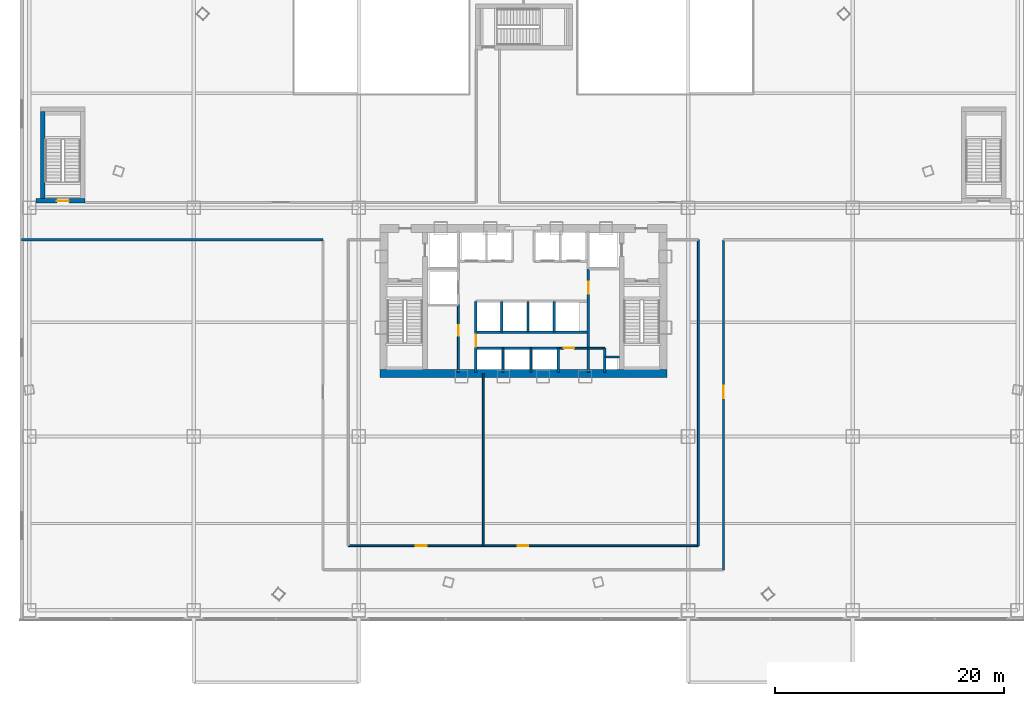
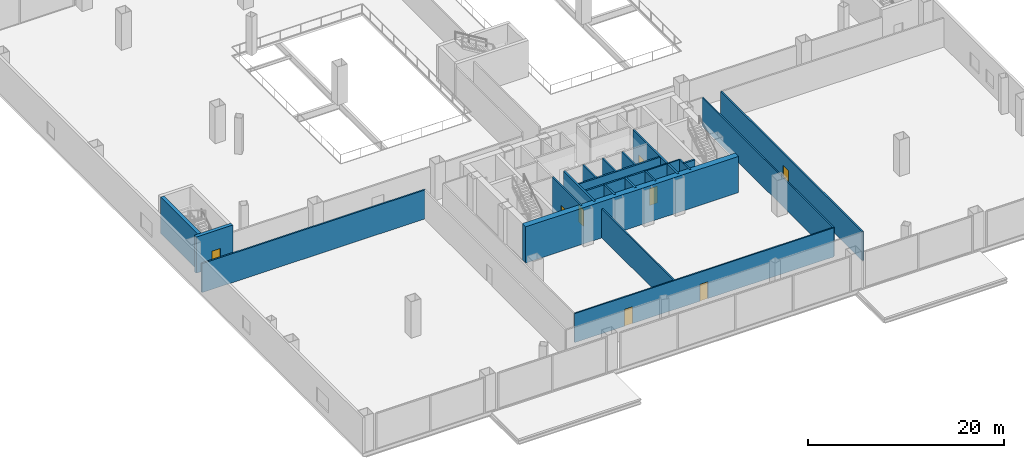
# One storey, part 33 of 42: 22 walls, 8 doors, 8 openings.
"""IFC4 building model written with IfcOpenShell, lengths in metres."""

from ifc_helpers import new_model, si_unit, direction, frame, frame_2d, origin, origin_with_axes, place, context, subcontext, project, spatial, rectangle, extrude, source, transform, mapped, material, layer, layer_set, type_object, element, fill, save


model = new_model("IFC4")

# Units and contexts
model_context = context("Model", 3, precision=1e-05, world=origin(), true_north=direction((0.0, 1.0)))
body_context = subcontext(model_context, "Body", "Model", "MODEL_VIEW")
ifc_project = project(units=[si_unit("LENGTHUNIT", "METRE"), si_unit("AREAUNIT", "SQUARE_METRE"), si_unit("VOLUMEUNIT", "CUBIC_METRE"), si_unit("PLANEANGLEUNIT", "RADIAN"), si_unit("MASSUNIT", "GRAM", prefix="KILO"), si_unit("THERMODYNAMICTEMPERATUREUNIT", "KELVIN"), si_unit("POWERUNIT", "WATT")], contexts=[model_context])

# Site, building, storey
site_placement = place(None, origin())
site = spatial("IfcSite", under=ifc_project, at=site_placement, CompositionType="ELEMENT")
building_placement = place(site_placement, origin())
building = spatial("IfcBuilding", under=site, at=building_placement, Name="Yunzhuo Pagoda Commons", CompositionType="ELEMENT")
storey_placement = place(building_placement, frame((0.0, 0.0, 4.800048828125)))
storey = spatial("IfcBuildingStorey", under=building, at=storey_placement, Name="L02", CompositionType="ELEMENT", Elevation=4.800048828125)

# Wall
ifc_material_1 = material(Name="Concrete C60", Category="concrete")
ifc_layer_1 = layer(ifc_material_1, 0.699951171875)
ifc_layer_set_1 = layer_set([ifc_layer_1], Name="Concrete C60")
wall_type_1 = type_object("IfcWallType", Name="W-C01 Lower Core Shear Wall 700", PredefinedType="SHEAR", material=ifc_layer_set_1)
wall_1_placement = place(storey_placement, frame((35.449951171875, 27.5, 0.0), z_axis=(0.0, 0.0, 1.0), x_axis=(1.0, 0.0, 0.0)))
element("IfcWall", 1, at=wall_1_placement, inside=storey, type_object=wall_type_1, Name="L02 core shear wall S", PredefinedType="SHEAR", context=body_context, shape_type="SweptSolid", body=[
    extrude(rectangle(XDim=25.10009765625, YDim=0.699951171875, at=frame_2d((12.550048828125, 0.0))), origin(), (0.0, 0.0, 1.0), 4.52001953125),
])

# Wall, opening, door
ifc_material_2 = material(Name="Gypsum plasterboard on acoustic stud")
ifc_layer_2 = layer(ifc_material_2, 0.159912109375)
ifc_layer_set_2 = layer_set([ifc_layer_2], Name="Gypsum plasterboard on acoustic stud")
wall_type_2 = type_object("IfcWallType", Name="W-COR1 Tower Rated Corridor Wall 160", PredefinedType="PARTITIONING", material=ifc_layer_set_2)
wall_2_placement = place(storey_placement, frame((42.320068359375, 27.60009765625, 0.0), z_axis=(0.0, 0.0, 1.0), x_axis=(0.0, 1.0, 0.0)))
wall_2 = element("IfcWall", 2, at=wall_2_placement, inside=storey, type_object=wall_type_2, Name="L02 interior wall IW-L02-CSWE", PredefinedType="PARTITIONING", context=body_context, shape_type="SweptSolid", body=[
    extrude(rectangle(XDim=5.89990234375, YDim=0.159912109375, at=frame_2d((2.949951171875, 0.0))), origin(), (0.0, 0.0, 1.0), 4.52001953125),
])
opening_1_placement = place(wall_2_placement, frame((3.199951171875, 0.0, 0.0)))
opening_1 = element("IfcOpeningElement", 3, at=opening_1_placement, cuts=wall_2, Name="Opening D-11", PredefinedType="OPENING", context=body_context, shape_type="SweptSolid", body=[
    extrude(rectangle(XDim=0.93994140625, YDim=2.10009765625, at=frame_2d((0.469970703125, 1.050048828125))), frame((0.0, 0.08984375, 0.0), z_axis=(0.0, -1.0, 0.0), x_axis=(1.0, 0.0, 0.0)), (0.0, 0.0, 1.0), 0.179931640625),
])
ifc_material_3 = material(Name="Galvanized fire-resisting metal leaf")
door_type_1 = type_object("IfcDoorType", Name="D-11 Accessible Washroom Fire Door 940x2100", OperationType="NOTDEFINED", PredefinedType="DOOR", material=ifc_material_3)
shared_shape_1 = source(origin(), body_context, "Body", "SweptSolid", [
    extrude(rectangle(XDim=0.93994140625, YDim=2.10009765625, at=frame_2d((0.469970703125, 1.050048828125))), frame((0.0, 0.02490234375, 0.0), z_axis=(0.0, -1.0, 0.0), x_axis=(1.0, 0.0, 0.0)), (0.0, 0.0, 1.0), 0.050048828125),
])
door_1_placement = place(opening_1_placement, origin_with_axes())
door_1 = element("IfcDoor", 4, at=door_1_placement, inside=storey, type_object=door_type_1, Name="L02 core WC door", OperationType="SINGLE_SWING_LEFT", OverallHeight=2.10009765625, OverallWidth=0.93994140625, PredefinedType="DOOR", context=body_context, shape_type="MappedRepresentation", body=[
    mapped(shared_shape_1, transform((0.0, 0.0, 0.0), scale=1.0)),
])
fill(opening_1, door_1)

wall_3_placement = place(storey_placement, frame((51.050048828125, 29.719970703125, 0.0), z_axis=(0.0, 0.0, 1.0), x_axis=(1.0, 0.0, 0.0)))
wall_3 = element("IfcWall", 5, at=wall_3_placement, inside=storey, type_object=wall_type_2, Name="L02 interior wall IW-L02-CSES", PredefinedType="PARTITIONING", context=body_context, shape_type="SweptSolid", body=[
    extrude(rectangle(XDim=4.070068359375, YDim=0.159912109375, at=frame_2d((2.03515625, 0.0))), origin(), (0.0, 0.0, 1.0), 4.52001953125),
])
opening_2_placement = place(wall_3_placement, frame((0.5, 0.0, 0.0)))
opening_2 = element("IfcOpeningElement", 6, at=opening_2_placement, cuts=wall_3, Name="Opening D-03", PredefinedType="OPENING", context=body_context, shape_type="SweptSolid", body=[
    extrude(rectangle(XDim=0.89990234375, YDim=2.10009765625, at=frame_2d((0.449951171875, 1.050048828125))), frame((0.0, 0.08984375, 0.0), z_axis=(0.0, -1.0, 0.0), x_axis=(1.0, 0.0, 0.0)), (0.0, 0.0, 1.0), 0.179931640625),
])
door_type_2 = type_object("IfcDoorType", Name="D-03 Core Service Fire Door 900x2100", OperationType="NOTDEFINED", PredefinedType="DOOR", material=ifc_material_3)
shared_shape_2 = source(origin(), body_context, "Body", "SweptSolid", [
    extrude(rectangle(XDim=0.89990234375, YDim=2.10009765625, at=frame_2d((0.449951171875, 1.050048828125))), frame((0.0, 0.02490234375, 0.0), z_axis=(0.0, -1.0, 0.0), x_axis=(1.0, 0.0, 0.0)), (0.0, 0.0, 1.0), 0.050048828125),
])
door_2_placement = place(opening_2_placement, origin_with_axes())
door_2 = element("IfcDoor", 7, at=door_2_placement, inside=storey, type_object=door_type_2, Name="L02 cleaner store door", OperationType="SINGLE_SWING_LEFT", OverallHeight=2.10009765625, OverallWidth=0.89990234375, PredefinedType="DOOR", context=body_context, shape_type="MappedRepresentation", body=[
    mapped(shared_shape_2, transform((0.0, 0.0, 0.0), scale=1.0)),
])
fill(opening_2, door_2)

# Wall, openings, doors
wall_4_placement = place(storey_placement, frame((32.699951171875, 12.449951171875, 0.0), z_axis=(0.0, 0.0, 1.0), x_axis=(1.0, 0.0, 0.0)))
wall_4 = element("IfcWall", 8, at=wall_4_placement, inside=storey, type_object=wall_type_2, Name="L02 interior wall IW-L02-PSMID", PredefinedType="PARTITIONING", context=body_context, shape_type="SweptSolid", body=[
    extrude(rectangle(XDim=30.60009765625, YDim=0.159912109375, at=frame_2d((15.300048828125, 0.0))), origin(), (0.0, 0.0, 1.0), 3.619873046875),
])
opening_3_placement = place(wall_4_placement, frame((14.800048828125, 0.0, 0.0)))
opening_3 = element("IfcOpeningElement", 9, at=opening_3_placement, cuts=wall_4, Name="Opening D-04", PredefinedType="OPENING", context=body_context, shape_type="SweptSolid", body=[
    extrude(rectangle(XDim=0.919921875, YDim=2.10009765625, at=frame_2d((0.4599609375, 1.050048828125))), frame((0.0, 0.08984375, 0.0), z_axis=(0.0, -1.0, 0.0), x_axis=(1.0, 0.0, 0.0)), (0.0, 0.0, 1.0), 0.179931640625),
])
opening_4_placement = place(wall_4_placement, frame((5.89990234375, 0.0, 0.0)))
opening_4 = element("IfcOpeningElement", 10, at=opening_4_placement, cuts=wall_4, Name="Opening D-11", PredefinedType="OPENING", context=body_context, shape_type="SweptSolid", body=[
    extrude(rectangle(XDim=0.93994140625, YDim=2.10009765625, at=frame_2d((0.469970703125, 1.050048828125))), frame((0.0, 0.08984375, 0.0), z_axis=(0.0, -1.0, 0.0), x_axis=(1.0, 0.0, 0.0)), (0.0, 0.0, 1.0), 0.179931640625),
])
door_3_placement = place(opening_4_placement, origin_with_axes())
door_3 = element("IfcDoor", 11, at=door_3_placement, inside=storey, type_object=door_type_1, Name="L02 washroom door", OperationType="SINGLE_SWING_RIGHT", OverallHeight=2.10009765625, OverallWidth=0.93994140625, PredefinedType="DOOR", context=body_context, shape_type="MappedRepresentation", body=[
    mapped(shared_shape_1, transform((0.0, 0.0, 0.0), scale=1.0)),
])
fill(opening_4, door_3)
ifc_material_4 = material(Name="Powder-coated aluminium and timber acoustic leaf", Category="wood")
door_type_3 = type_object("IfcDoorType", Name="D-04 Bedroom & Study Interior Door 920x2100", OperationType="NOTDEFINED", PredefinedType="DOOR", material=ifc_material_4)
shared_shape_3 = source(origin(), body_context, "Body", "SweptSolid", [
    extrude(rectangle(XDim=0.919921875, YDim=2.10009765625, at=frame_2d((0.4599609375, 1.050048828125))), frame((0.0, 0.02490234375, 0.0), z_axis=(0.0, -1.0, 0.0), x_axis=(1.0, 0.0, 0.0)), (0.0, 0.0, 1.0), 0.050048828125),
])
door_4_placement = place(opening_3_placement, origin_with_axes())
door_4 = element("IfcDoor", 12, at=door_4_placement, inside=storey, type_object=door_type_3, Name="L02 Beverage Servery door", OperationType="SINGLE_SWING_LEFT", OverallHeight=2.10009765625, OverallWidth=0.919921875, PredefinedType="DOOR", context=body_context, shape_type="MappedRepresentation", body=[
    mapped(shared_shape_3, transform((0.0, 0.0, 0.0), scale=1.0)),
])
fill(opening_3, door_4)

# Walls
wall_5_placement = place(storey_placement, frame((63.300048828125, 12.449951171875, 0.0), z_axis=(0.0, 0.0, 1.0), x_axis=(0.0, 1.0, 0.0)))
element("IfcWall", 13, at=wall_5_placement, inside=storey, type_object=wall_type_2, Name="L02 interior wall IW-L02-PSME", PredefinedType="PARTITIONING", context=body_context, shape_type="SweptSolid", body=[
    extrude(rectangle(XDim=26.75, YDim=0.159912109375, at=frame_2d((13.375, 0.0))), origin(), (0.0, 0.0, 1.0), 3.619873046875),
])
wall_6_placement = place(storey_placement, frame((44.5, 12.449951171875, 0.0), z_axis=(0.0, 0.0, 1.0), x_axis=(0.0, 1.0, 0.0)))
element("IfcWall", 14, at=wall_6_placement, inside=storey, type_object=wall_type_2, Name="L02 interior wall IW-L02-PWCDV", PredefinedType="PARTITIONING", context=body_context, shape_type="SweptSolid", body=[
    extrude(rectangle(XDim=15.050048828125, YDim=0.159912109375, at=frame_2d((7.52490234375, 0.0))), origin(), (0.0, 0.0, 1.0), 3.619873046875),
])
ifc_layer_3 = layer(ifc_material_2, 0.179931640625)
ifc_layer_set_3 = layer_set([ifc_layer_3], Name="Gypsum plasterboard on acoustic stud")
wall_type_3 = type_object("IfcWallType", Name="W-PRT2 Acoustic Unit Demising Wall 180", PredefinedType="PARTITIONING", material=ifc_layer_set_3)
wall_7_placement = place(storey_placement, frame((4.14990234375, 39.199951171875, 0.0), z_axis=(0.0, 0.0, 1.0), x_axis=(1.0, 0.0, 0.0)))
element("IfcWall", 15, at=wall_7_placement, inside=storey, type_object=wall_type_3, Name="L02 interior wall IW-L02-PWESTN", PredefinedType="PARTITIONING", context=body_context, shape_type="SweptSolid", body=[
    extrude(rectangle(XDim=26.35009765625, YDim=0.179931640625, at=frame_2d((13.175048828125, 0.0))), origin(), (0.0, 0.0, 1.0), 3.619873046875),
])

# Wall, opening, door
wall_8_placement = place(storey_placement, frame((65.5, 10.35009765625, 0.0), z_axis=(0.0, 0.0, 1.0), x_axis=(0.0, 1.0, 0.0)))
wall_8 = element("IfcWall", 16, at=wall_8_placement, inside=storey, type_object=wall_type_3, Name="L02 interior wall IW-L02-PEAST", PredefinedType="PARTITIONING", context=body_context, shape_type="SweptSolid", body=[
    extrude(rectangle(XDim=28.849853515625, YDim=0.179931640625, at=frame_2d((14.4248046875, 0.0))), origin(), (0.0, 0.0, 1.0), 3.619873046875),
])
opening_5_placement = place(wall_8_placement, frame((15.0, 0.0, 0.0)))
opening_5 = element("IfcOpeningElement", 17, at=opening_5_placement, cuts=wall_8, Name="Opening D-09", PredefinedType="OPENING", context=body_context, shape_type="SweptSolid", body=[
    extrude(rectangle(XDim=1.10009765625, YDim=2.14990234375, at=frame_2d((0.550048828125, 1.074951171875))), frame((0.0, 0.10009765625, 0.0), z_axis=(0.0, -1.0, 0.0), x_axis=(1.0, 0.0, 0.0)), (0.0, 0.0, 1.0), 0.199951171875),
])
door_type_4 = type_object("IfcDoorType", Name="D-09 Podium Commons Hall Fire Door 1100x2150", OperationType="NOTDEFINED", PredefinedType="DOOR", material=ifc_material_3)
shared_shape_4 = source(origin(), body_context, "Body", "SweptSolid", [
    extrude(rectangle(XDim=1.10009765625, YDim=2.14990234375, at=frame_2d((0.550048828125, 1.074951171875))), frame((0.0, 0.02490234375, 0.0), z_axis=(0.0, -1.0, 0.0), x_axis=(1.0, 0.0, 0.0)), (0.0, 0.0, 1.0), 0.050048828125),
])
door_5_placement = place(opening_5_placement, frame((1.10009765625, 0.0, 0.0), z_axis=(0.0, 0.0, 1.0), x_axis=(-1.0, 0.0, 0.0)))
door_5 = element("IfcDoor", 18, at=door_5_placement, inside=storey, type_object=door_type_4, Name="L02 Concourse Mezzanine Gallery door", OperationType="SINGLE_SWING_RIGHT", OverallHeight=2.14990234375, OverallWidth=1.10009765625, PredefinedType="DOOR", context=body_context, shape_type="MappedRepresentation", body=[
    mapped(shared_shape_4, transform((0.0, 0.0, 0.0), scale=1.0)),
])
fill(opening_5, door_5)

ifc_layer_4 = layer(ifc_material_1, 0.39990234375)
ifc_layer_set_4 = layer_set([ifc_layer_4], Name="Concrete C60")
wall_type_4 = type_object("IfcWallType", Name="W-S01 Internal Core Shear Web 400", PredefinedType="SHEAR", material=ifc_layer_set_4)
wall_9_placement = place(storey_placement, frame((5.39990234375, 42.60009765625, 0.0), z_axis=(0.0, 0.0, 1.0), x_axis=(1.0, 0.0, 0.0)))
wall_9 = element("IfcWall", 19, at=wall_9_placement, inside=storey, type_object=wall_type_4, Name="L02 PS3 structural stair wall S", PredefinedType="SHEAR", context=body_context, shape_type="SweptSolid", body=[
    extrude(rectangle(XDim=4.300048828125, YDim=0.39990234375, at=frame_2d((2.14990234375, 0.0))), origin(), (0.0, 0.0, 1.0), 4.52001953125),
])
opening_6_placement = place(wall_9_placement, frame((1.820068359375, 0.0, 0.0)))
opening_6 = element("IfcOpeningElement", 20, at=opening_6_placement, cuts=wall_9, Name="Opening D-01", PredefinedType="OPENING", context=body_context, shape_type="SweptSolid", body=[
    extrude(rectangle(XDim=1.050048828125, YDim=2.10009765625, at=frame_2d((0.52490234375, 1.050048828125))), frame((0.0, 0.2099609375, 0.0), z_axis=(0.0, -1.0, 0.0), x_axis=(1.0, 0.0, 0.0)), (0.0, 0.0, 1.0), 0.419921875),
])
door_type_5 = type_object("IfcDoorType", Name="D-01 Smokeproof Stair Fire Door 1050x2100", OperationType="NOTDEFINED", PredefinedType="DOOR", material=ifc_material_3)
shared_shape_5 = source(origin(), body_context, "Body", "SweptSolid", [
    extrude(rectangle(XDim=1.050048828125, YDim=2.10009765625, at=frame_2d((0.52490234375, 1.050048828125))), frame((0.0, 0.02490234375, 0.0), z_axis=(0.0, -1.0, 0.0), x_axis=(1.0, 0.0, 0.0)), (0.0, 0.0, 1.0), 0.050048828125),
])
door_6_placement = place(opening_6_placement, frame((1.050048828125, 0.0, 0.0), z_axis=(0.0, 0.0, 1.0), x_axis=(-1.0, 0.0, 0.0)))
door_6 = element("IfcDoor", 21, at=door_6_placement, inside=storey, type_object=door_type_5, Name="L02 PS3 stair fire door", OperationType="SINGLE_SWING_LEFT", OverallHeight=2.10009765625, OverallWidth=1.050048828125, PredefinedType="DOOR", context=body_context, shape_type="MappedRepresentation", body=[
    mapped(shared_shape_5, transform((0.0, 0.0, 0.0), scale=1.0)),
])
fill(opening_6, door_6)

# Wall
wall_10_placement = place(storey_placement, frame((6.0, 42.800048828125, 0.0), z_axis=(0.0, 0.0, 1.0), x_axis=(0.0, 1.0, 0.0)))
element("IfcWall", 22, at=wall_10_placement, inside=storey, type_object=wall_type_4, Name="L02 PS3 structural stair wall W", PredefinedType="SHEAR", context=body_context, shape_type="SweptSolid", body=[
    extrude(rectangle(XDim=7.599853515625, YDim=0.39990234375, at=frame_2d((3.7998046875, 0.0))), origin(), (0.0, 0.0, 1.0), 4.52001953125),
])

# Wall, opening, door
ifc_material_5 = material(Name="Concrete C40", Category="concrete")
ifc_layer_5 = layer(ifc_material_5, 0.199951171875)
ifc_layer_set_5 = layer_set([ifc_layer_5], Name="Concrete C40")
wall_type_5 = type_object("IfcWallType", Name="W-SHF Shaft & Stair Enclosure Wall 200", PredefinedType="SOLIDWALL", material=ifc_layer_set_5)
wall_11_placement = place(storey_placement, frame((43.85009765625, 27.60009765625, 0.0), z_axis=(0.0, 0.0, 1.0), x_axis=(0.0, 1.0, 0.0)))
wall_11 = element("IfcWall", 23, at=wall_11_placement, inside=storey, type_object=wall_type_5, Name="L02 interior wall IW-L02-PLMW", PredefinedType="SOLIDWALL", context=body_context, shape_type="SweptSolid", body=[
    extrude(rectangle(XDim=6.219970703125, YDim=0.199951171875, at=frame_2d((3.10986328125, 0.0))), origin(), (0.0, 0.0, 1.0), 4.52001953125),
])
opening_7_placement = place(wall_11_placement, frame((2.25, 0.0, 0.0)))
opening_7 = element("IfcOpeningElement", 24, at=opening_7_placement, cuts=wall_11, Name="Opening D-02", PredefinedType="OPENING", context=body_context, shape_type="SweptSolid", body=[
    extrude(rectangle(XDim=1.050048828125, YDim=2.10009765625, at=frame_2d((0.52490234375, 1.050048828125))), frame((0.0, 0.10986328125, 0.0), z_axis=(0.0, -1.0, 0.0), x_axis=(1.0, 0.0, 0.0)), (0.0, 0.0, 1.0), 0.219970703125),
])
door_type_6 = type_object("IfcDoorType", Name="D-02 Firefighting Lobby & Refuge Fire Door 1050x2100", OperationType="NOTDEFINED", PredefinedType="DOOR", material=ifc_material_3)
door_7_placement = place(opening_7_placement, frame((1.050048828125, 0.0, 0.0), z_axis=(0.0, 0.0, 1.0), x_axis=(-1.0, 0.0, 0.0)))
door_7 = element("IfcDoor", 25, at=door_7_placement, inside=storey, type_object=door_type_6, Name="L02 High-bank hall west door", OperationType="SINGLE_SWING_LEFT", OverallHeight=2.10009765625, OverallWidth=1.050048828125, PredefinedType="DOOR", context=body_context, shape_type="MappedRepresentation", body=[
    mapped(shared_shape_5, transform((0.0, 0.0, 0.0), scale=1.0)),
])
fill(opening_7, door_7)

wall_12_placement = place(storey_placement, frame((53.679931640625, 27.60009765625, 0.0), z_axis=(0.0, 0.0, 1.0), x_axis=(0.0, 1.0, 0.0)))
wall_12 = element("IfcWall", 26, at=wall_12_placement, inside=storey, type_object=wall_type_5, Name="L02 interior wall IW-L02-PLME", PredefinedType="SOLIDWALL", context=body_context, shape_type="SweptSolid", body=[
    extrude(rectangle(XDim=9.0498046875, YDim=0.199951171875, at=frame_2d((4.52490234375, 0.0))), origin(), (0.0, 0.0, 1.0), 4.52001953125),
])
opening_8_placement = place(wall_12_placement, frame((6.89990234375, 0.0, 0.0)))
opening_8 = element("IfcOpeningElement", 27, at=opening_8_placement, cuts=wall_12, Name="Opening D-02", PredefinedType="OPENING", context=body_context, shape_type="SweptSolid", body=[
    extrude(rectangle(XDim=1.050048828125, YDim=2.10009765625, at=frame_2d((0.52490234375, 1.050048828125))), frame((0.0, 0.10986328125, 0.0), z_axis=(0.0, -1.0, 0.0), x_axis=(1.0, 0.0, 0.0)), (0.0, 0.0, 1.0), 0.219970703125),
])
door_8_placement = place(opening_8_placement, origin_with_axes())
door_8 = element("IfcDoor", 28, at=door_8_placement, inside=storey, type_object=door_type_6, Name="L02 High-bank lift hall door", OperationType="SINGLE_SWING_RIGHT", OverallHeight=2.10009765625, OverallWidth=1.050048828125, PredefinedType="DOOR", context=body_context, shape_type="MappedRepresentation", body=[
    mapped(shared_shape_5, transform((0.0, 0.0, 0.0), scale=1.0)),
])
fill(opening_8, door_8)

# Walls
for number, where, z_axis, x_axis, name in (
    (29, (46.10009765625, 31.1201171875, 0.0), (0.0, 0.0, 1.0), (0.0, 1.0, 0.0), "L02 interior wall IW-L02-PLMD1"),
    (30, (48.39990234375, 31.1201171875, 0.0), (0.0, 0.0, 1.0), (0.0, 1.0, 0.0), "L02 interior wall IW-L02-PLMD2"),
    (31, (50.699951171875, 31.1201171875, 0.0), (0.0, 0.0, 1.0), (0.0, 1.0, 0.0), "L02 interior wall IW-L02-PLMD3"),
):
    element("IfcWall", number, at=place(storey_placement, frame(where, z_axis=z_axis, x_axis=x_axis)), inside=storey, type_object=wall_type_5, Name=name, PredefinedType="SOLIDWALL", context=body_context, shape_type="SweptSolid", body=[
        extrude(rectangle(XDim=2.699951171875, YDim=0.199951171875, at=frame_2d((1.35009765625, 0.0))), origin(), (0.0, 0.0, 1.0), 4.52001953125),
    ])
wall_13_placement = place(storey_placement, frame((43.85009765625, 29.719970703125, 0.0), z_axis=(0.0, 0.0, 1.0), x_axis=(1.0, 0.0, 0.0)))
element("IfcWall", 32, at=wall_13_placement, inside=storey, type_object=wall_type_5, Name="L02 interior wall IW-L02-PLHN", PredefinedType="SOLIDWALL", context=body_context, shape_type="SweptSolid", body=[
    extrude(rectangle(XDim=7.199951171875, YDim=0.199951171875, at=frame_2d((3.60009765625, 0.0))), origin(), (0.0, 0.0, 1.0), 4.52001953125),
])
wall_14_placement = place(storey_placement, frame((51.050048828125, 27.60009765625, 0.0), z_axis=(0.0, 0.0, 1.0), x_axis=(0.0, 1.0, 0.0)))
element("IfcWall", 33, at=wall_14_placement, inside=storey, type_object=wall_type_5, Name="L02 interior wall IW-L02-PLHE", PredefinedType="SOLIDWALL", context=body_context, shape_type="SweptSolid", body=[
    extrude(rectangle(XDim=2.119873046875, YDim=0.199951171875, at=frame_2d((1.06005859375, 0.0))), origin(), (0.0, 0.0, 1.0), 4.52001953125),
])
wall_15_placement = place(storey_placement, frame((43.85009765625, 31.1201171875, 0.0), z_axis=(0.0, 0.0, 1.0), x_axis=(1.0, 0.0, 0.0)))
element("IfcWall", 34, at=wall_15_placement, inside=storey, type_object=wall_type_5, Name="L02 interior wall IW-L02-PLMS2", PredefinedType="SOLIDWALL", context=body_context, shape_type="SweptSolid", body=[
    extrude(rectangle(XDim=9.829833984375, YDim=0.199951171875, at=frame_2d((4.9150390625, 0.0))), origin(), (0.0, 0.0, 1.0), 4.52001953125),
])
for number, where, z_axis, x_axis, name in (
    (35, (46.22509765625, 27.60009765625, 0.0), (0.0, 0.0, 1.0), (0.0, 1.0, 0.0), "L02 interior wall IW-L02-PLHD1"),
    (36, (48.675048828125, 27.60009765625, 0.0), (0.0, 0.0, 1.0), (0.0, 1.0, 0.0), "L02 interior wall IW-L02-PLHD2"),
    (37, (55.1201171875, 27.60009765625, 0.0), (0.0, 0.0, 1.0), (0.0, 1.0, 0.0), "L02 interior wall IW-L02-RSHFW"),
):
    element("IfcWall", number, at=place(storey_placement, frame(where, z_axis=z_axis, x_axis=x_axis)), inside=storey, type_object=wall_type_5, Name=name, PredefinedType="SOLIDWALL", context=body_context, shape_type="SweptSolid", body=[
        extrude(rectangle(XDim=2.119873046875, YDim=0.199951171875, at=frame_2d((1.06005859375, 0.0))), origin(), (0.0, 0.0, 1.0), 4.52001953125),
    ])
wall_16_placement = place(storey_placement, frame((55.1201171875, 28.949951171875, 0.0), z_axis=(0.0, 0.0, 1.0), x_axis=(1.0, 0.0, 0.0)))
element("IfcWall", 38, at=wall_16_placement, inside=storey, type_object=wall_type_5, Name="L02 interior wall IW-L02-RSHFN", PredefinedType="SOLIDWALL", context=body_context, shape_type="SweptSolid", body=[
    extrude(rectangle(XDim=1.27978515625, YDim=0.199951171875, at=frame_2d((0.639892578125, 0.0))), origin(), (0.0, 0.0, 1.0), 4.52001953125),
])

save(model, "model.ifc")
